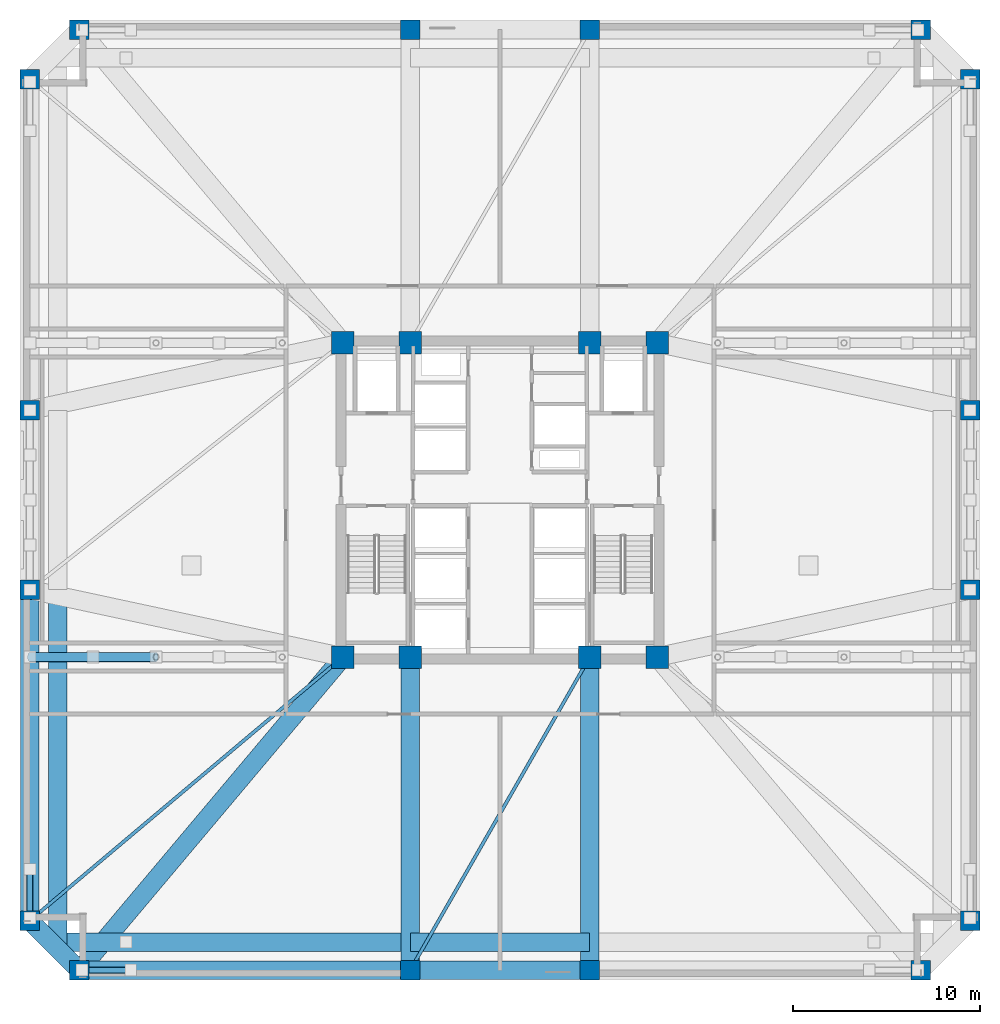
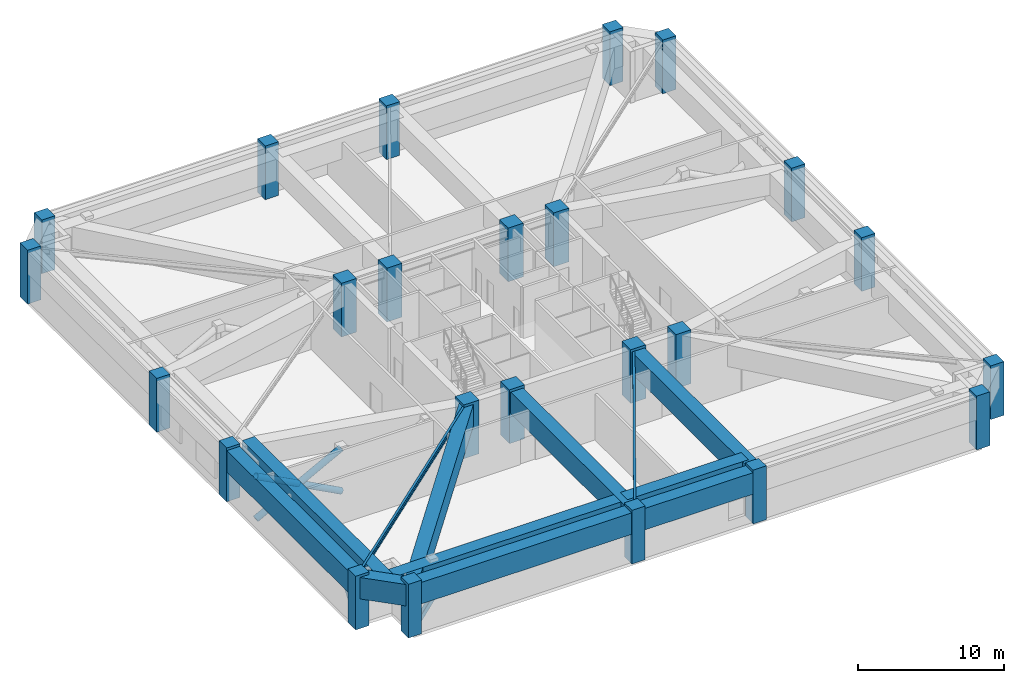
# One storey, part 1 of 13: 24 columns, 12 beams, 5 members.
"""IFC4 building model written with IfcOpenShell, lengths in metres."""

from ifc_helpers import new_model, si_unit, direction, frame, origin, origin_2d, place, context, subcontext, project, spatial, rectangle, hollow_rectangle, hollow_circle, i_section, extrude, material, material_profile, profile_set, type_object, element, save


model = new_model("IFC4")

# Units and contexts
model_context = context("Model", 3, precision=1e-05, world=origin(), true_north=direction((0.0, 1.0)))
body_context = subcontext(model_context, "Body", "Model", "MODEL_VIEW")
ifc_project = project(units=[si_unit("LENGTHUNIT", "METRE"), si_unit("AREAUNIT", "SQUARE_METRE"), si_unit("VOLUMEUNIT", "CUBIC_METRE"), si_unit("PLANEANGLEUNIT", "RADIAN"), si_unit("MASSUNIT", "GRAM", prefix="KILO")], contexts=[model_context])

# Site, building, storey
site_placement = place(None, origin())
site = spatial("IfcSite", under=ifc_project, at=site_placement, CompositionType="ELEMENT")
building_placement = place(site_placement, origin())
building = spatial("IfcBuilding", under=site, at=building_placement, Name="Cairnveth Concourse Tower", CompositionType="ELEMENT")
storey_placement = place(building_placement, frame((0.0, 0.0, 97.0)))
storey = spatial("IfcBuildingStorey", under=building, at=storey_placement, Name="L26", CompositionType="ELEMENT", Elevation=97.0)

# Columns
ifc_material_1 = material(Name="Concrete N80 (80 MPa)", Category="concrete")
ifc_material_profile_1 = material_profile(ifc_material_1, rectangle(XDim=1.199951171875, YDim=1.199951171875, at=origin_2d()), Name="RC-COL-1200x1200")
ifc_profile_set_1 = profile_set([ifc_material_profile_1], Name="Concrete N80 (80 MPa)")
column_type_1 = type_object("IfcColumnType", Name="CORE COLUMN 1200X1200", PredefinedType="COLUMN", material=ifc_profile_set_1)
for number, where, z_axis, x_axis, name in (
    (1, (43.60009765625, 30.60009765625, 0.0), (0.0, 0.0, 1.0), (1.0, 0.0, 0.0), "Column CC1 L26"),
    (2, (47.199951171875, 30.60009765625, 0.0), (0.0, 0.0, 1.0), (1.0, 0.0, 0.0), "Column CC2 L26"),
    (3, (56.800048828125, 30.60009765625, 0.0), (0.0, 0.0, 1.0), (1.0, 0.0, 0.0), "Column CC3 L26"),
    (4, (60.39990234375, 30.60009765625, 0.0), (0.0, 0.0, 1.0), (1.0, 0.0, 0.0), "Column CC4 L26"),
    (5, (43.60009765625, 47.39990234375, 0.0), (0.0, 0.0, 1.0), (1.0, 0.0, 0.0), "Column CC5 L26"),
    (6, (47.199951171875, 47.39990234375, 0.0), (0.0, 0.0, 1.0), (1.0, 0.0, 0.0), "Column CC6 L26"),
    (7, (56.800048828125, 47.39990234375, 0.0), (0.0, 0.0, 1.0), (1.0, 0.0, 0.0), "Column CC7 L26"),
    (8, (60.39990234375, 47.39990234375, 0.0), (0.0, 0.0, 1.0), (1.0, 0.0, 0.0), "Column CC8 L26"),
):
    element("IfcColumn", number, at=place(storey_placement, frame(where, z_axis=z_axis, x_axis=x_axis)), inside=storey, type_object=column_type_1, Name=name, PredefinedType="COLUMN", context=body_context, shape_type="SweptSolid", body=[
        extrude(rectangle(XDim=1.199951171875, YDim=1.199951171875, at=origin_2d()), origin(), (0.0, 0.0, 1.0), 4.5),
    ])
ifc_material_2 = material(Name="Concrete N65 (65 MPa)", Category="concrete")
ifc_material_profile_2 = material_profile(ifc_material_2, rectangle(XDim=1.050048828125, YDim=1.050048828125, at=origin_2d()), Name="RC-COL-1050x1050")
ifc_profile_set_2 = profile_set([ifc_material_profile_2], Name="Concrete N65 (65 MPa)")
column_type_2 = type_object("IfcColumnType", Name="PERIMETER PIER COLUMN 1050X1050", PredefinedType="COLUMN", material=ifc_profile_set_2)
for number, where, z_axis, x_axis, name in (
    (9, (29.5, 13.85009765625, 0.0), (0.0, 0.0, 1.0), (1.0, 0.0, 0.0), "Column P-S1 L26"),
    (10, (47.199951171875, 13.85009765625, 0.0), (0.0, 0.0, 1.0), (1.0, 0.0, 0.0), "Column P-S2 L26"),
    (11, (56.800048828125, 13.85009765625, 0.0), (0.0, 0.0, 1.0), (1.0, 0.0, 0.0), "Column P-S3 L26"),
    (12, (74.5, 13.85009765625, 0.0), (0.0, 0.0, 1.0), (1.0, 0.0, 0.0), "Column P-S4 L26"),
    (13, (77.14990234375, 16.5, 0.0), (0.0, 0.0, 1.0), (0.0, 1.0, 0.0), "Column P-E1 L26"),
    (14, (77.14990234375, 34.199951171875, 0.0), (0.0, 0.0, 1.0), (0.0, 1.0, 0.0), "Column P-E2 L26"),
    (15, (77.14990234375, 43.800048828125, 0.0), (0.0, 0.0, 1.0), (0.0, 1.0, 0.0), "Column P-E3 L26"),
    (16, (77.14990234375, 61.5, 0.0), (0.0, 0.0, 1.0), (0.0, 1.0, 0.0), "Column P-E4 L26"),
    (17, (74.5, 64.14990234375, 0.0), (0.0, 0.0, 1.0), (1.0, 0.0, 0.0), "Column P-N1 L26"),
    (18, (56.800048828125, 64.14990234375, 0.0), (0.0, 0.0, 1.0), (1.0, 0.0, 0.0), "Column P-N2 L26"),
    (19, (47.199951171875, 64.14990234375, 0.0), (0.0, 0.0, 1.0), (1.0, 0.0, 0.0), "Column P-N3 L26"),
    (20, (29.5, 64.14990234375, 0.0), (0.0, 0.0, 1.0), (1.0, 0.0, 0.0), "Column P-N4 L26"),
    (21, (26.85009765625, 61.5, 0.0), (0.0, 0.0, 1.0), (0.0, 1.0, 0.0), "Column P-W1 L26"),
    (22, (26.85009765625, 43.800048828125, 0.0), (0.0, 0.0, 1.0), (0.0, 1.0, 0.0), "Column P-W2 L26"),
    (23, (26.85009765625, 34.199951171875, 0.0), (0.0, 0.0, 1.0), (0.0, 1.0, 0.0), "Column P-W3 L26"),
    (24, (26.85009765625, 16.5, 0.0), (0.0, 0.0, 1.0), (0.0, 1.0, 0.0), "Column P-W4 L26"),
):
    element("IfcColumn", number, at=place(storey_placement, frame(where, z_axis=z_axis, x_axis=x_axis)), inside=storey, type_object=column_type_2, Name=name, PredefinedType="COLUMN", context=body_context, shape_type="SweptSolid", body=[
        extrude(rectangle(XDim=1.050048828125, YDim=1.050048828125, at=origin_2d()), origin(), (0.0, 0.0, 1.0), 4.5),
    ])

# Beams
ifc_material_profile_3 = material_profile(ifc_material_2, rectangle(XDim=1.0, YDim=1.800048828125, at=origin_2d()), Name="RC-TB-1000x1800")
ifc_profile_set_3 = profile_set([ifc_material_profile_3], Name="Concrete N65 (65 MPa)")
beam_type_1 = type_object("IfcBeamType", Name="CONCRETE TRANSFER GIRDER 1000X1800", PredefinedType="BEAM", material=ifc_profile_set_3)
beam_1_placement = place(storey_placement, frame((29.5, 13.85009765625, 3.3798828125), z_axis=(1.0, 0.0, 0.0), x_axis=(0.0, 1.0, 0.0)))
element("IfcBeam", 25, at=beam_1_placement, inside=storey, type_object=beam_type_1, Name="Beam SP-S1 L26", PredefinedType="BEAM", context=body_context, shape_type="SweptSolid", body=[
    extrude(rectangle(XDim=1.0, YDim=1.800048828125, at=origin_2d()), origin(), (0.0, 0.0, 1.0), 17.699951171875),
])
beam_2_placement = place(storey_placement, frame((47.199951171875, 13.85009765625, 3.3798828125), z_axis=(1.0, 0.0, 0.0), x_axis=(0.0, 1.0, 0.0)))
element("IfcBeam", 26, at=beam_2_placement, inside=storey, type_object=beam_type_1, Name="Beam SP-S2 L26", PredefinedType="BEAM", context=body_context, shape_type="SweptSolid", body=[
    extrude(rectangle(XDim=1.0, YDim=1.800048828125, at=origin_2d()), origin(), (0.0, 0.0, 1.0), 9.60009765625),
])
beam_3_placement = place(storey_placement, frame((26.85009765625, 16.5, 3.3798828125), z_axis=(0.0, 1.0, 0.0), x_axis=(-1.0, 0.0, 0.0)))
element("IfcBeam", 27, at=beam_3_placement, inside=storey, type_object=beam_type_1, Name="Beam SP-W1 L26", PredefinedType="BEAM", context=body_context, shape_type="SweptSolid", body=[
    extrude(rectangle(XDim=1.0, YDim=1.800048828125, at=origin_2d()), origin(), (0.0, 0.0, 1.0), 17.699951171875),
])
beam_4_placement = place(storey_placement, frame((26.85009765625, 16.5, 3.3798828125), z_axis=(0.707106781187, -0.707106781187, 0.0), x_axis=(0.707106781187, 0.707106781187, 0.0)))
element("IfcBeam", 28, at=beam_4_placement, inside=storey, type_object=beam_type_1, Name="Beam SP-SW L26", PredefinedType="BEAM", context=body_context, shape_type="SweptSolid", body=[
    extrude(rectangle(XDim=1.0, YDim=1.800048828125, at=origin_2d()), origin(), (0.0, 0.0, 1.0), 3.74755859375),
])
beam_5_placement = place(storey_placement, frame((29.5, 13.85009765625, 3.3798828125), z_axis=(0.643997697905, 0.765027427674, 0.0), x_axis=(-0.765027427674, 0.643997697905, 0.0)))
element("IfcBeam", 29, at=beam_5_placement, inside=storey, type_object=beam_type_1, Name="Beam RG-CSW L26", PredefinedType="BEAM", context=body_context, shape_type="SweptSolid", body=[
    extrude(rectangle(XDim=1.0, YDim=1.800048828125, at=origin_2d()), origin(), (0.0, 0.0, 1.0), 21.89453125),
])
for number, where, z_axis, x_axis, name in (
    (30, (47.199951171875, 13.85009765625, 3.3798828125), (0.0, 1.0, 0.0), (-1.0, 0.0, 0.0), "Beam RG-S1 L26"),
    (31, (56.800048828125, 13.85009765625, 3.3798828125), (0.0, 1.0, 0.0), (-1.0, 0.0, 0.0), "Beam RG-S2 L26"),
):
    element("IfcBeam", number, at=place(storey_placement, frame(where, z_axis=z_axis, x_axis=x_axis)), inside=storey, type_object=beam_type_1, Name=name, PredefinedType="BEAM", context=body_context, shape_type="SweptSolid", body=[
        extrude(rectangle(XDim=1.0, YDim=1.800048828125, at=origin_2d()), origin(), (0.0, 0.0, 1.0), 16.75),
    ])
beam_6_placement = place(storey_placement, frame((28.0, 15.35009765625, 3.3798828125), z_axis=(1.0, 0.0, 0.0), x_axis=(0.0, 1.0, 0.0)))
element("IfcBeam", 32, at=beam_6_placement, inside=storey, type_object=beam_type_1, Name="Beam STG-S1 L26", PredefinedType="BEAM", context=body_context, shape_type="SweptSolid", body=[
    extrude(rectangle(XDim=1.0, YDim=1.800048828125, at=origin_2d()), origin(), (0.0, 0.0, 1.0), 19.199951171875),
])
beam_7_placement = place(storey_placement, frame((47.199951171875, 15.35009765625, 3.3798828125), z_axis=(1.0, 0.0, 0.0), x_axis=(0.0, 1.0, 0.0)))
element("IfcBeam", 33, at=beam_7_placement, inside=storey, type_object=beam_type_1, Name="Beam STG-S2 L26", PredefinedType="BEAM", context=body_context, shape_type="SweptSolid", body=[
    extrude(rectangle(XDim=1.0, YDim=1.800048828125, at=origin_2d()), origin(), (0.0, 0.0, 1.0), 9.60009765625),
])
beam_8_placement = place(storey_placement, frame((28.35009765625, 15.0, 3.3798828125), z_axis=(0.0, 1.0, 0.0), x_axis=(-1.0, 0.0, 0.0)))
element("IfcBeam", 34, at=beam_8_placement, inside=storey, type_object=beam_type_1, Name="Beam STG-W1 L26", PredefinedType="BEAM", context=body_context, shape_type="SweptSolid", body=[
    extrude(rectangle(XDim=1.0, YDim=1.800048828125, at=origin_2d()), origin(), (0.0, 0.0, 1.0), 19.199951171875),
])

# Members
ifc_material_3 = material(Name="Steel C350L0 (350 MPa)", Category="steel")
ifc_material_profile_4 = material_profile(ifc_material_3, hollow_circle(Radius=0.25390625, WallThickness=0.01611328125, at=origin_2d()), Name="508.0x16.0CHS")
ifc_profile_set_4 = profile_set([ifc_material_profile_4], Name="Steel C350L0 (350 MPa)")
member_type_1 = type_object("IfcMemberType", Name="OUTRIGGER DIAGONAL 508X16CHS", PredefinedType="BRACE", material=ifc_profile_set_4)
member_1_placement = place(storey_placement, frame((26.85009765625, 30.60009765625, 0.25), z_axis=(0.883433244898, 0.0, 0.468557042216), x_axis=(0.0, 1.0, 0.0)))
element("IfcMember", 35, at=member_1_placement, inside=storey, type_object=member_type_1, Name="Structural Brace OUT-OW1A-P1A L26", PredefinedType="BRACE", context=body_context, shape_type="SweptSolid", body=[
    extrude(hollow_circle(Radius=0.25390625, WallThickness=0.01611328125, at=origin_2d()), origin(), (0.0, 0.0, 1.0), 7.640625),
])
member_2_placement = place(storey_placement, frame((26.85009765625, 30.60009765625, 3.830078125), z_axis=(0.88342870315, 0.0, -0.46856560528), x_axis=(0.0, 1.0, 0.0)))
element("IfcMember", 36, at=member_2_placement, inside=storey, type_object=member_type_1, Name="Structural Brace OUT-OW1A-P1B1 L26", PredefinedType="BRACE", context=body_context, shape_type="SweptSolid", body=[
    extrude(hollow_circle(Radius=0.25390625, WallThickness=0.01611328125, at=origin_2d()), origin(), (0.0, 0.0, 1.0), 3.80517578125),
])
member_3_placement = place(storey_placement, frame((30.23828125, 30.60009765625, 2.032958984375), z_axis=(0.883442788673, 0.0, -0.468539047617), x_axis=(0.0, 1.0, 0.0)))
element("IfcMember", 37, at=member_3_placement, inside=storey, type_object=member_type_1, Name="Structural Brace OUT-OW1A-P1B2 L26", PredefinedType="BRACE", context=body_context, shape_type="SweptSolid", body=[
    extrude(hollow_circle(Radius=0.25390625, WallThickness=0.01611328125, at=origin_2d()), origin(), (0.0, 0.0, 1.0), 3.805419921875),
])

# Beams
ifc_material_4 = material(Name="Steel Grade 350", Category="steel")
ifc_material_profile_5 = material_profile(ifc_material_4, i_section(OverallWidth=0.177978515625, OverallDepth=0.406005859375, WebThickness=0.0078125, FlangeThickness=0.0126953125, FilletRadius=0.010986328125, at=origin_2d()), Name="410UB59.7")
ifc_profile_set_5 = profile_set([ifc_material_profile_5], Name="Steel Grade 350")
beam_type_2 = type_object("IfcBeamType", Name="ZONE 1 FLOOR JOIST 410UB59.7", PredefinedType="JOIST", material=ifc_profile_set_5)
beam_9_placement = place(storey_placement, frame((26.85009765625, 16.5, 4.076904296875), z_axis=(0.765027427674, 0.643997697905, 0.0), x_axis=(-0.643997697905, 0.765027427674, 0.0)))
element("IfcBeam", 38, at=beam_9_placement, inside=storey, type_object=beam_type_2, Name="Beam FJ-CSW2 L26", PredefinedType="JOIST", context=body_context, shape_type="SweptSolid", body=[
    extrude(i_section(OverallWidth=0.177978515625, OverallDepth=0.406005859375, WebThickness=0.0078125, FlangeThickness=0.0126953125, FilletRadius=0.010986328125, at=origin_2d()), origin(), (0.0, 0.0, 1.0), 21.89453125),
])
beam_10_placement = place(storey_placement, frame((47.199951171875, 13.85009765625, 4.076904296875), z_axis=(0.497257970706, 0.86760273776, 0.0), x_axis=(-0.86760273776, 0.497257970706, 0.0)))
element("IfcBeam", 39, at=beam_10_placement, inside=storey, type_object=beam_type_2, Name="Beam FJ-S-M1 L26", PredefinedType="JOIST", context=body_context, shape_type="SweptSolid", body=[
    extrude(i_section(OverallWidth=0.177978515625, OverallDepth=0.406005859375, WebThickness=0.0078125, FlangeThickness=0.0126953125, FilletRadius=0.010986328125, at=origin_2d()), origin(), (0.0, 0.0, 1.0), 19.30615234375),
])

# Members
ifc_material_profile_6 = material_profile(ifc_material_3, hollow_rectangle(XDim=0.35009765625, YDim=0.35009765625, WallThickness=0.01611328125, InnerFilletRadius=0.01611328125, OuterFilletRadius=0.031982421875, at=origin_2d()), Name="350x350x16.0SHS")
ifc_profile_set_6 = profile_set([ifc_material_profile_6], Name="Steel C350L0 (350 MPa)")
member_type_2 = type_object("IfcMemberType", Name="ZONE 1 PIER BRACE 350X350X16SHS", PredefinedType="BRACE", material=ifc_profile_set_6)
for number, where, z_axis, x_axis, name in (
    (40, (29.64990234375, 13.85009765625, 0.25), (0.587640077388, 0.0, 0.809122450218), (0.0, 1.0, 0.0), "Structural Brace PB-S1 L26"),
    (41, (26.85009765625, 16.64990234375, 0.25), (0.0, 0.587640077388, 0.809122450218), (-1.0, 0.0, 0.0), "Structural Brace PB-W1 L26"),
):
    element("IfcMember", number, at=place(storey_placement, frame(where, z_axis=z_axis, x_axis=x_axis)), inside=storey, type_object=member_type_2, Name=name, PredefinedType="BRACE", context=body_context, shape_type="SweptSolid", body=[
        extrude(hollow_rectangle(XDim=0.35009765625, YDim=0.35009765625, WallThickness=0.01611328125, InnerFilletRadius=0.01611328125, OuterFilletRadius=0.031982421875, at=origin_2d()), origin(), (0.0, 0.0, 1.0), 4.424560546875),
    ])

save(model, "model.ifc")
